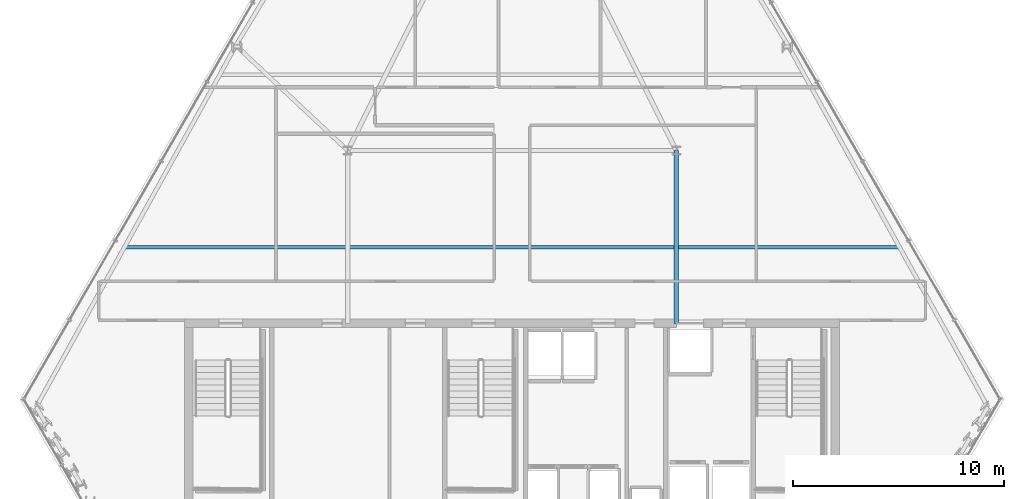
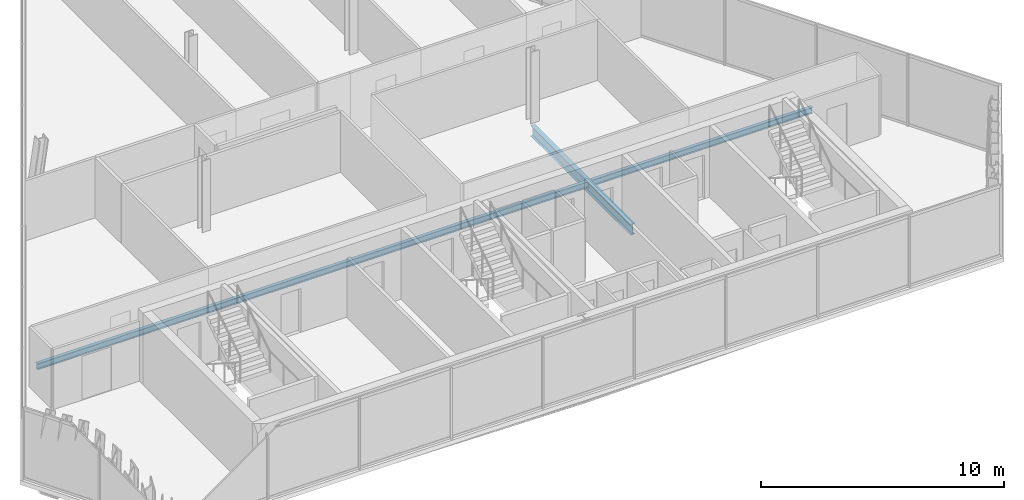
# One storey, part 9 of 29: 2 beams.
"""IFC4 building model written with IfcOpenShell, lengths in metres."""

from ifc_helpers import new_model, si_unit, direction, frame, origin, origin_2d, place, context, subcontext, project, spatial, i_section, extrude, material, material_profile, profile_set, type_object, element, save


model = new_model("IFC4")

# Units and contexts
model_context = context("Model", 3, precision=1e-05, world=origin(), true_north=direction((0.0, 1.0)))
body_context = subcontext(model_context, "Body", "Model", "MODEL_VIEW")
ifc_project = project(units=[si_unit("LENGTHUNIT", "METRE"), si_unit("AREAUNIT", "SQUARE_METRE"), si_unit("VOLUMEUNIT", "CUBIC_METRE"), si_unit("PLANEANGLEUNIT", "RADIAN"), si_unit("MASSUNIT", "GRAM", prefix="KILO")], contexts=[model_context])

# Site, building, storey
site_placement = place(None, origin())
site = spatial("IfcSite", under=ifc_project, at=site_placement, CompositionType="ELEMENT")
building_placement = place(site_placement, origin())
building = spatial("IfcBuilding", under=site, at=building_placement, Name="Ndaravel Arena Tower", CompositionType="ELEMENT")
storey_placement = place(building_placement, frame((0.0, 0.0, 237.0)))
storey = spatial("IfcBuildingStorey", under=building, at=storey_placement, Name="L57", CompositionType="ELEMENT", Elevation=237.0)

# Beams
ifc_material_1 = material(Name="Steel S355", Category="steel")
ifc_material_profile_1 = material_profile(ifc_material_1, i_section(OverallWidth=0.210693359375, OverallDepth=0.53955078125, WebThickness=0.01171875, FlangeThickness=0.018798828125, FilletRadius=0.0126953125, at=origin_2d()), Name="UB 533x210x109")
ifc_profile_set_1 = profile_set([ifc_material_profile_1], Name="Steel S355")
beam_type_1 = type_object("IfcBeamType", Name="BM-GIRD-UB533", PredefinedType="BEAM", material=ifc_profile_set_1)
beam_1_placement = place(storey_placement, frame((49.800048828125, 14.97998046875, -0.48974609375), z_axis=(0.0, 1.0, 0.0), x_axis=(-1.0, 0.0, 0.0)))
element("IfcBeam", 1, at=beam_1_placement, inside=storey, type_object=beam_type_1, Name="L57 Spine Link Girder SLG-02", PredefinedType="BEAM", context=body_context, shape_type="SweptSolid", body=[
    extrude(i_section(OverallWidth=0.210693359375, OverallDepth=0.53955078125, WebThickness=0.01171875, FlangeThickness=0.018798828125, FilletRadius=0.0126953125, at=origin_2d()), origin(), (0.0, 0.0, 1.0), 8.219970703125),
])
ifc_material_2 = material(Name="Steel S355", Category="steel")
ifc_material_profile_2 = material_profile(ifc_material_2, i_section(OverallWidth=0.165771484375, OverallDepth=0.306640625, WebThickness=0.006591796875, FlangeThickness=0.01171875, FilletRadius=0.0087890625, at=origin_2d()), Name="UB 305x165x46")
ifc_profile_set_2 = profile_set([ifc_material_profile_2], Name="Steel S355")
beam_type_2 = type_object("IfcBeamType", Name="BM-JOIST-UB305", PredefinedType="JOIST", material=ifc_profile_set_2)
beam_2_placement = place(storey_placement, frame((23.599365234375, 18.60009765625, -0.373291015625), z_axis=(1.0, 0.0, 0.0), x_axis=(0.0, 1.0, 0.0)))
element("IfcBeam", 2, at=beam_2_placement, inside=storey, type_object=beam_type_2, Name="L57 Composite Floor Joist FJ-01", PredefinedType="JOIST", context=body_context, shape_type="SweptSolid", body=[
    extrude(i_section(OverallWidth=0.165771484375, OverallDepth=0.306640625, WebThickness=0.006591796875, FlangeThickness=0.01171875, FilletRadius=0.0087890625, at=origin_2d()), origin(), (0.0, 0.0, 1.0), 36.80126953125),
])

save(model, "model.ifc")
